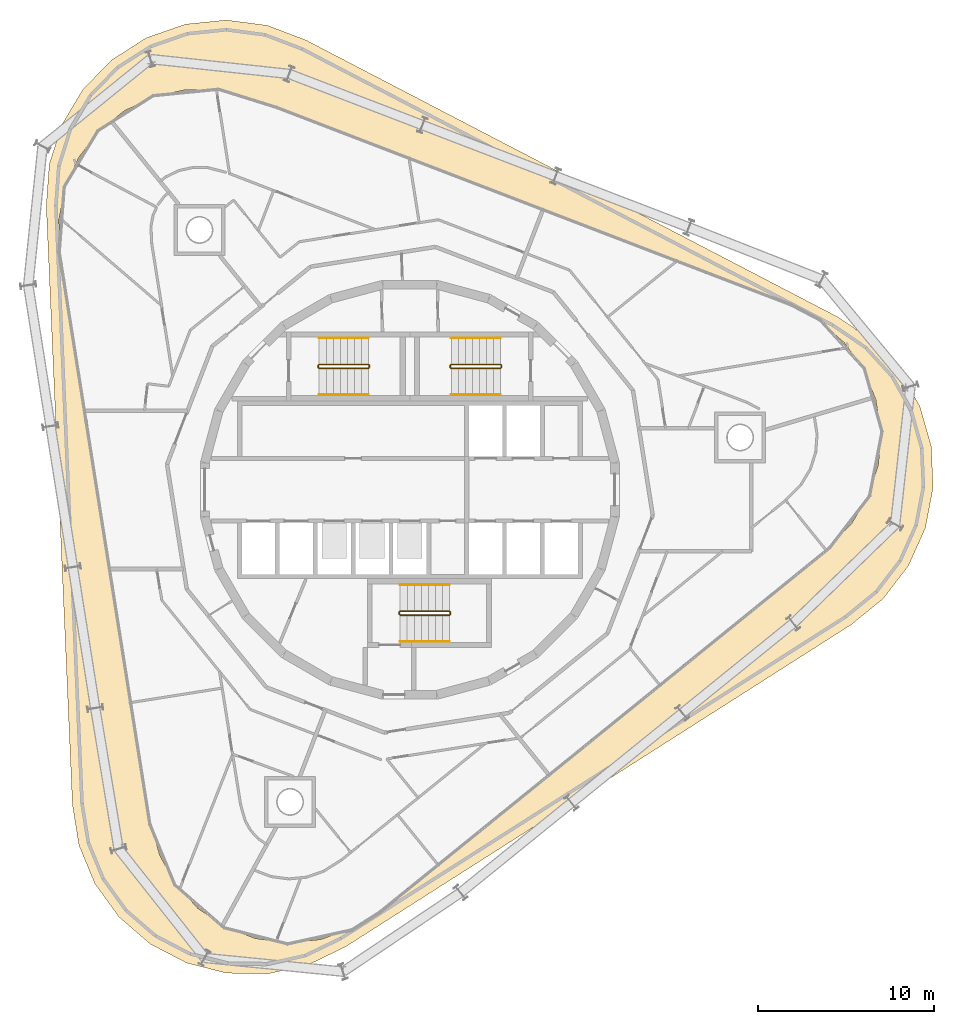
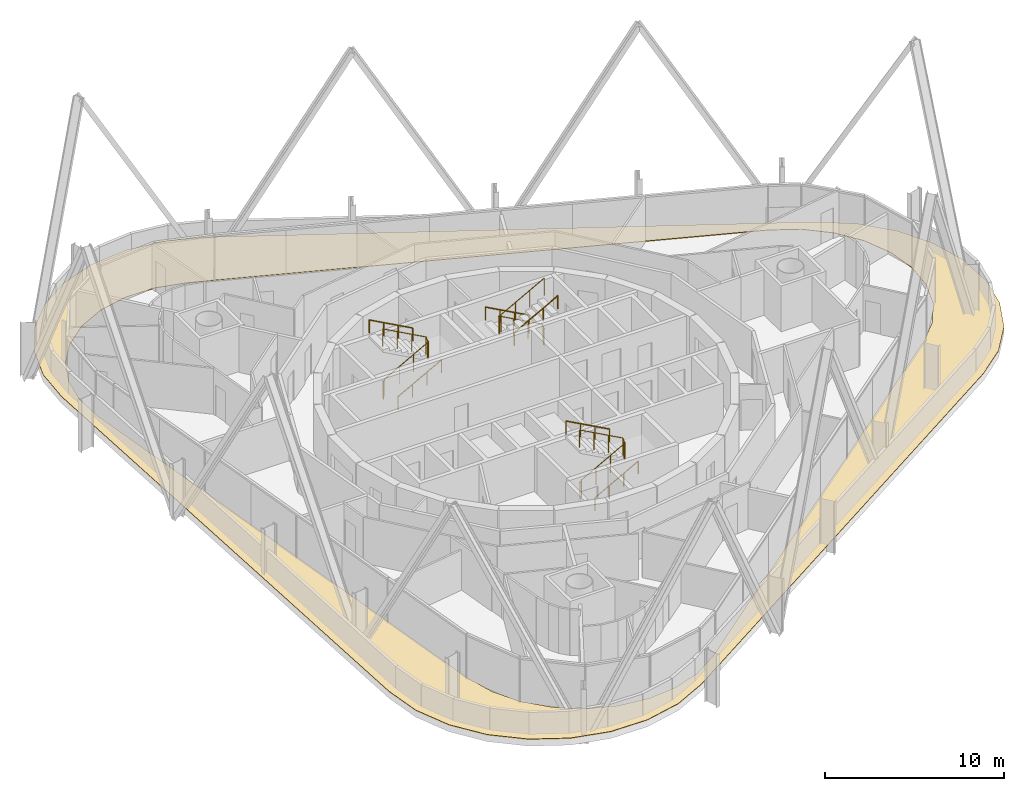
# One storey, part 18 of 19: 9 railings, 1 covering.
"""IFC4 building model written with IfcOpenShell, lengths in metres."""

from ifc_helpers import new_model, si_unit, direction, frame, origin, origin_2d, place, context, subcontext, project, spatial, polyline, circle, outline, extrude, material, layer, layer_set, type_object, element, save


model = new_model("IFC4")

# Units and contexts
model_context = context("Model", 3, precision=1e-05, world=origin(), true_north=direction((0.0, 1.0)))
body_context = subcontext(model_context, "Body", "Model", "MODEL_VIEW")
ifc_project = project(units=[si_unit("LENGTHUNIT", "METRE"), si_unit("AREAUNIT", "SQUARE_METRE"), si_unit("VOLUMEUNIT", "CUBIC_METRE"), si_unit("PLANEANGLEUNIT", "RADIAN"), si_unit("MASSUNIT", "GRAM", prefix="KILO")], contexts=[model_context])

# Site, building, storey
site_placement = place(None, origin())
site = spatial("IfcSite", under=ifc_project, at=site_placement, CompositionType="ELEMENT")
building_placement = place(site_placement, origin())
building = spatial("IfcBuilding", under=site, at=building_placement, Name="Spindle Arch Residences", CompositionType="ELEMENT")
storey_placement = place(building_placement, frame((0.0, 0.0, 263.39990234375)))
storey = spatial("IfcBuildingStorey", under=building, at=storey_placement, Name="L67", CompositionType="ELEMENT", Elevation=263.39990234375)

# Railings
ifc_material_1 = material(Name="Steel, painted", Category="steel")
railing_type_1 = type_object("IfcRailingType", Name="Stair guard 1100", PredefinedType="GUARDRAIL", material=ifc_material_1)
railing_1_placement = place(storey_placement, frame((5.14990234375, 6.89990234375, 3.5)))
element("IfcRailing", 1, at=railing_1_placement, inside=storey, type_object=railing_type_1, Name="L67 ST1 stair guard 1", PredefinedType="GUARDRAIL", context=body_context, shape_type="SweptSolid", body=[
    extrude(circle(Radius=0.02392578125, at=origin_2d()), frame((0.0, 0.0, 1.17578125), z_axis=(-0.877357048833, 0.0, -0.479838106931), x_axis=(0.0, -1.0, 0.0)), (0.0, 0.0, 1.0), 3.191162109375),
    extrude(circle(Radius=0.02392578125, at=origin_2d()), frame((-2.7998046875, 0.0, -0.35546875), z_axis=(-0.217683172539, 0.217683172539, -0.951434744366), x_axis=(-0.707106781187, -0.707106781187, 0.0)), (0.0, 0.0, 1.0), 0.22998046875),
    extrude(circle(Radius=0.02392578125, at=origin_2d()), frame((-2.849853515625, 0.050048828125, -0.57421875), z_axis=(0.0, 1.0, 0.0), x_axis=(-1.0, 0.0, 0.0)), (0.0, 0.0, 1.0), 0.1201171875),
    extrude(circle(Radius=0.02392578125, at=origin_2d()), frame((-2.849853515625, 0.170166015625, -0.57421875), z_axis=(0.707106781187, 0.707106781187, 0.0), x_axis=(-0.707106781187, 0.707106781187, 0.0)), (0.0, 0.0, 1.0), 0.07080078125),
    extrude(circle(Radius=0.02392578125, at=origin_2d()), frame((-2.7998046875, 0.22021484375, -0.57421875), z_axis=(0.877357048833, 0.0, -0.479838106931), x_axis=(0.0, 1.0, 0.0)), (0.0, 0.0, 1.0), 3.191162109375),
    extrude(circle(Radius=0.02392578125, at=origin_2d()), frame((0.0, 0.22021484375, -2.10546875), z_axis=(0.217683172539, -0.217683172539, -0.951434744366), x_axis=(0.707106781187, 0.707106781187, 0.0)), (0.0, 0.0, 1.0), 0.22998046875),
    extrude(circle(Radius=0.02392578125, at=origin_2d()), frame((0.050048828125, 0.170166015625, -2.32421875), z_axis=(0.0, -1.0, 0.0), x_axis=(1.0, 0.0, 0.0)), (0.0, 0.0, 1.0), 0.1201171875),
    extrude(circle(Radius=0.02099609375, at=origin_2d()), origin(), (0.0, 0.0, 1.0), 1.15185546875),
    extrude(circle(Radius=0.02099609375, at=origin_2d()), frame((-0.933349609375, 0.0, -0.510498046875)), (0.0, 0.0, 1.0), 1.15185546875),
    extrude(circle(Radius=0.02099609375, at=origin_2d()), frame((-1.866455078125, 0.0, -1.020751953125)), (0.0, 0.0, 1.0), 1.15185546875),
    extrude(circle(Radius=0.02099609375, at=origin_2d()), frame((-2.7998046875, 0.0, -1.53125)), (0.0, 0.0, 1.0), 1.15185546875),
    extrude(circle(Radius=0.02099609375, at=origin_2d()), frame((-2.849853515625, 0.050048828125, -1.75)), (0.0, 0.0, 1.0), 1.15185546875),
    extrude(circle(Radius=0.02099609375, at=origin_2d()), frame((-2.849853515625, 0.170166015625, -1.75)), (0.0, 0.0, 1.0), 1.15185546875),
    extrude(circle(Radius=0.02099609375, at=origin_2d()), frame((-2.7998046875, 0.22021484375, -1.75)), (0.0, 0.0, 1.0), 1.15185546875),
    extrude(circle(Radius=0.02099609375, at=origin_2d()), frame((-1.866455078125, 0.22021484375, -2.260498046875)), (0.0, 0.0, 1.0), 1.15185546875),
    extrude(circle(Radius=0.02099609375, at=origin_2d()), frame((-0.933349609375, 0.22021484375, -2.770751953125)), (0.0, 0.0, 1.0), 1.15185546875),
    extrude(circle(Radius=0.02099609375, at=origin_2d()), frame((0.0, 0.22021484375, -3.28125)), (0.0, 0.0, 1.0), 1.15185546875),
    extrude(circle(Radius=0.02099609375, at=origin_2d()), frame((0.050048828125, 0.170166015625, -3.5)), (0.0, 0.0, 1.0), 1.15185546875),
    extrude(circle(Radius=0.02099609375, at=origin_2d()), frame((0.050048828125, 0.050048828125, -3.5)), (0.0, 0.0, 1.0), 1.15185546875),
])
railing_2_placement = place(storey_placement, frame((-5.14990234375, 7.1201171875, 3.5)))
element("IfcRailing", 2, at=railing_2_placement, inside=storey, type_object=railing_type_1, Name="L67 ST2 stair guard 1", PredefinedType="GUARDRAIL", context=body_context, shape_type="SweptSolid", body=[
    extrude(circle(Radius=0.02392578125, at=origin_2d()), frame((0.0, 0.0, 1.17578125), z_axis=(0.877357048833, 0.0, -0.479838106931), x_axis=(0.0, 1.0, 0.0)), (0.0, 0.0, 1.0), 3.191162109375),
    extrude(circle(Radius=0.02392578125, at=origin_2d()), frame((2.7998046875, 0.0, -0.35546875), z_axis=(0.217683172539, -0.217683172539, -0.951434744366), x_axis=(0.707106781187, 0.707106781187, 0.0)), (0.0, 0.0, 1.0), 0.22998046875),
    extrude(circle(Radius=0.02392578125, at=origin_2d()), frame((2.849853515625, -0.050048828125, -0.57421875), z_axis=(0.0, -1.0, 0.0), x_axis=(1.0, 0.0, 0.0)), (0.0, 0.0, 1.0), 0.1201171875),
    extrude(circle(Radius=0.02392578125, at=origin_2d()), frame((2.849853515625, -0.170166015625, -0.57421875), z_axis=(-0.707106781187, -0.707106781187, 0.0), x_axis=(0.707106781187, -0.707106781187, 0.0)), (0.0, 0.0, 1.0), 0.07080078125),
    extrude(circle(Radius=0.02392578125, at=origin_2d()), frame((2.7998046875, -0.22021484375, -0.57421875), z_axis=(-0.877357048833, 0.0, -0.479838106931), x_axis=(0.0, -1.0, 0.0)), (0.0, 0.0, 1.0), 3.191162109375),
    extrude(circle(Radius=0.02392578125, at=origin_2d()), frame((0.0, -0.22021484375, -2.10546875), z_axis=(-0.217683172539, 0.217683172539, -0.951434744366), x_axis=(-0.707106781187, -0.707106781187, 0.0)), (0.0, 0.0, 1.0), 0.22998046875),
    extrude(circle(Radius=0.02392578125, at=origin_2d()), frame((-0.050048828125, -0.170166015625, -2.32421875), z_axis=(0.0, 1.0, 0.0), x_axis=(-1.0, 0.0, 0.0)), (0.0, 0.0, 1.0), 0.1201171875),
    extrude(circle(Radius=0.02099609375, at=origin_2d()), origin(), (0.0, 0.0, 1.0), 1.15185546875),
    extrude(circle(Radius=0.02099609375, at=origin_2d()), frame((0.933349609375, 0.0, -0.510498046875)), (0.0, 0.0, 1.0), 1.15185546875),
    extrude(circle(Radius=0.02099609375, at=origin_2d()), frame((1.866455078125, 0.0, -1.020751953125)), (0.0, 0.0, 1.0), 1.15185546875),
    extrude(circle(Radius=0.02099609375, at=origin_2d()), frame((2.7998046875, 0.0, -1.53125)), (0.0, 0.0, 1.0), 1.15185546875),
    extrude(circle(Radius=0.02099609375, at=origin_2d()), frame((2.849853515625, -0.050048828125, -1.75)), (0.0, 0.0, 1.0), 1.15185546875),
    extrude(circle(Radius=0.02099609375, at=origin_2d()), frame((2.849853515625, -0.170166015625, -1.75)), (0.0, 0.0, 1.0), 1.15185546875),
    extrude(circle(Radius=0.02099609375, at=origin_2d()), frame((2.7998046875, -0.22021484375, -1.75)), (0.0, 0.0, 1.0), 1.15185546875),
    extrude(circle(Radius=0.02099609375, at=origin_2d()), frame((1.866455078125, -0.22021484375, -2.260498046875)), (0.0, 0.0, 1.0), 1.15185546875),
    extrude(circle(Radius=0.02099609375, at=origin_2d()), frame((0.933349609375, -0.22021484375, -2.770751953125)), (0.0, 0.0, 1.0), 1.15185546875),
    extrude(circle(Radius=0.02099609375, at=origin_2d()), frame((0.0, -0.22021484375, -3.28125)), (0.0, 0.0, 1.0), 1.15185546875),
    extrude(circle(Radius=0.02099609375, at=origin_2d()), frame((-0.050048828125, -0.170166015625, -3.5)), (0.0, 0.0, 1.0), 1.15185546875),
    extrude(circle(Radius=0.02099609375, at=origin_2d()), frame((-0.050048828125, -0.050048828125, -3.5)), (0.0, 0.0, 1.0), 1.15185546875),
])
railing_3_placement = place(storey_placement, frame((-0.550048828125, -6.89990234375, 3.5)))
element("IfcRailing", 3, at=railing_3_placement, inside=storey, type_object=railing_type_1, Name="L67 ST3 stair guard 1", PredefinedType="GUARDRAIL", context=body_context, shape_type="SweptSolid", body=[
    extrude(circle(Radius=0.02392578125, at=origin_2d()), frame((0.0, 0.0, 1.17578125), z_axis=(0.877374661878, 0.0, -0.479805901063), x_axis=(0.0, 1.0, 0.0)), (0.0, 0.0, 1.0), 3.19140625),
    extrude(circle(Radius=0.02392578125, at=origin_2d()), frame((2.800048828125, 0.0, -0.35546875), z_axis=(0.217683172539, -0.217683172539, -0.951434744366), x_axis=(0.707106781187, 0.707106781187, 0.0)), (0.0, 0.0, 1.0), 0.22998046875),
    extrude(circle(Radius=0.02392578125, at=origin_2d()), frame((2.85009765625, -0.050048828125, -0.57421875), z_axis=(0.0, -1.0, 0.0), x_axis=(1.0, 0.0, 0.0)), (0.0, 0.0, 1.0), 0.1201171875),
    extrude(circle(Radius=0.02392578125, at=origin_2d()), frame((2.85009765625, -0.170166015625, -0.57421875), z_axis=(-0.707106781187, -0.707106781187, 0.0), x_axis=(0.707106781187, -0.707106781187, 0.0)), (0.0, 0.0, 1.0), 0.07080078125),
    extrude(circle(Radius=0.02392578125, at=origin_2d()), frame((2.800048828125, -0.22021484375, -0.57421875), z_axis=(-0.877374661878, 0.0, -0.479805901063), x_axis=(0.0, -1.0, 0.0)), (0.0, 0.0, 1.0), 3.19140625),
    extrude(circle(Radius=0.02392578125, at=origin_2d()), frame((0.0, -0.22021484375, -2.10546875), z_axis=(-0.217683172539, 0.217683172539, -0.951434744366), x_axis=(-0.707106781187, -0.707106781187, 0.0)), (0.0, 0.0, 1.0), 0.22998046875),
    extrude(circle(Radius=0.02392578125, at=origin_2d()), frame((-0.050048828125, -0.170166015625, -2.32421875), z_axis=(0.0, 1.0, 0.0), x_axis=(-1.0, 0.0, 0.0)), (0.0, 0.0, 1.0), 0.1201171875),
    extrude(circle(Radius=0.02099609375, at=origin_2d()), origin(), (0.0, 0.0, 1.0), 1.15185546875),
    extrude(circle(Radius=0.02099609375, at=origin_2d()), frame((0.933349609375, 0.0, -0.510498046875)), (0.0, 0.0, 1.0), 1.15185546875),
    extrude(circle(Radius=0.02099609375, at=origin_2d()), frame((1.86669921875, 0.0, -1.020751953125)), (0.0, 0.0, 1.0), 1.15185546875),
    extrude(circle(Radius=0.02099609375, at=origin_2d()), frame((2.800048828125, 0.0, -1.53125)), (0.0, 0.0, 1.0), 1.15185546875),
    extrude(circle(Radius=0.02099609375, at=origin_2d()), frame((2.85009765625, -0.050048828125, -1.75)), (0.0, 0.0, 1.0), 1.15185546875),
    extrude(circle(Radius=0.02099609375, at=origin_2d()), frame((2.85009765625, -0.170166015625, -1.75)), (0.0, 0.0, 1.0), 1.15185546875),
    extrude(circle(Radius=0.02099609375, at=origin_2d()), frame((2.800048828125, -0.22021484375, -1.75)), (0.0, 0.0, 1.0), 1.15185546875),
    extrude(circle(Radius=0.02099609375, at=origin_2d()), frame((1.86669921875, -0.22021484375, -2.260498046875)), (0.0, 0.0, 1.0), 1.15185546875),
    extrude(circle(Radius=0.02099609375, at=origin_2d()), frame((0.933349609375, -0.22021484375, -2.770751953125)), (0.0, 0.0, 1.0), 1.15185546875),
    extrude(circle(Radius=0.02099609375, at=origin_2d()), frame((0.0, -0.22021484375, -3.28125)), (0.0, 0.0, 1.0), 1.15185546875),
    extrude(circle(Radius=0.02099609375, at=origin_2d()), frame((-0.050048828125, -0.170166015625, -3.5)), (0.0, 0.0, 1.0), 1.15185546875),
    extrude(circle(Radius=0.02099609375, at=origin_2d()), frame((-0.050048828125, -0.050048828125, -3.5)), (0.0, 0.0, 1.0), 1.15185546875),
])
ifc_material_2 = material(Name="Steel, painted", Category="steel")
railing_type_2 = type_object("IfcRailingType", Name="Stair handrail 900", PredefinedType="HANDRAIL", material=ifc_material_2)
railing_4_placement = place(storey_placement, frame((5.14990234375, 8.6201171875, 0.21875)))
element("IfcRailing", 4, at=railing_4_placement, inside=storey, type_object=railing_type_2, Name="L67 ST1 stair handrail 1", PredefinedType="HANDRAIL", context=body_context, shape_type="SweptSolid", body=[
    extrude(circle(Radius=0.02392578125, at=origin_2d()), frame((0.0, 0.0, 0.8759765625), z_axis=(-0.877357048833, 0.0, 0.479838106931), x_axis=(0.0, -1.0, 0.0)), (0.0, 0.0, 1.0), 3.191162109375),
    extrude(circle(Radius=0.02099609375, at=origin_2d()), origin(), (0.0, 0.0, 1.0), 0.851806640625),
    extrude(circle(Radius=0.02099609375, at=origin_2d()), frame((-0.933349609375, 0.0, 0.510498046875)), (0.0, 0.0, 1.0), 0.851806640625),
    extrude(circle(Radius=0.02099609375, at=origin_2d()), frame((-1.866455078125, 0.0, 1.020751953125)), (0.0, 0.0, 1.0), 0.851806640625),
    extrude(circle(Radius=0.02099609375, at=origin_2d()), frame((-2.7998046875, 0.0, 1.53125)), (0.0, 0.0, 1.0), 0.851806640625),
])
for number, where, name in (
    (5, (2.35009765625, 5.39990234375, 1.96875), "L67 ST1 stair handrail 2"),
    (6, (-5.14990234375, 5.39990234375, 0.21875), "L67 ST2 stair handrail 1"),
):
    element("IfcRailing", number, at=place(storey_placement, frame(where)), inside=storey, type_object=railing_type_2, Name=name, PredefinedType="HANDRAIL", context=body_context, shape_type="SweptSolid", body=[
        extrude(circle(Radius=0.02392578125, at=origin_2d()), frame((0.0, 0.0, 0.8759765625), z_axis=(0.877357048833, 0.0, 0.479838106931), x_axis=(0.0, 1.0, 0.0)), (0.0, 0.0, 1.0), 3.191162109375),
        extrude(circle(Radius=0.02099609375, at=origin_2d()), origin(), (0.0, 0.0, 1.0), 0.851806640625),
        extrude(circle(Radius=0.02099609375, at=origin_2d()), frame((0.933349609375, 0.0, 0.510498046875)), (0.0, 0.0, 1.0), 0.851806640625),
        extrude(circle(Radius=0.02099609375, at=origin_2d()), frame((1.866455078125, 0.0, 1.020751953125)), (0.0, 0.0, 1.0), 0.851806640625),
        extrude(circle(Radius=0.02099609375, at=origin_2d()), frame((2.7998046875, 0.0, 1.53125)), (0.0, 0.0, 1.0), 0.851806640625),
    ])
railing_5_placement = place(storey_placement, frame((-2.35009765625, 8.6201171875, 1.96875)))
element("IfcRailing", 7, at=railing_5_placement, inside=storey, type_object=railing_type_2, Name="L67 ST2 stair handrail 2", PredefinedType="HANDRAIL", context=body_context, shape_type="SweptSolid", body=[
    extrude(circle(Radius=0.02392578125, at=origin_2d()), frame((0.0, 0.0, 0.8759765625), z_axis=(-0.877357048833, 0.0, 0.479838106931), x_axis=(0.0, -1.0, 0.0)), (0.0, 0.0, 1.0), 3.191162109375),
    extrude(circle(Radius=0.02099609375, at=origin_2d()), origin(), (0.0, 0.0, 1.0), 0.851806640625),
    extrude(circle(Radius=0.02099609375, at=origin_2d()), frame((-0.933349609375, 0.0, 0.510498046875)), (0.0, 0.0, 1.0), 0.851806640625),
    extrude(circle(Radius=0.02099609375, at=origin_2d()), frame((-1.866455078125, 0.0, 1.020751953125)), (0.0, 0.0, 1.0), 0.851806640625),
    extrude(circle(Radius=0.02099609375, at=origin_2d()), frame((-2.7998046875, 0.0, 1.53125)), (0.0, 0.0, 1.0), 0.851806640625),
])
railing_6_placement = place(storey_placement, frame((-0.550048828125, -8.6201171875, 0.21875)))
element("IfcRailing", 8, at=railing_6_placement, inside=storey, type_object=railing_type_2, Name="L67 ST3 stair handrail 1", PredefinedType="HANDRAIL", context=body_context, shape_type="SweptSolid", body=[
    extrude(circle(Radius=0.02392578125, at=origin_2d()), frame((0.0, 0.0, 0.8759765625), z_axis=(0.877374661878, 0.0, 0.479805901063), x_axis=(0.0, 1.0, 0.0)), (0.0, 0.0, 1.0), 3.19140625),
    extrude(circle(Radius=0.02099609375, at=origin_2d()), origin(), (0.0, 0.0, 1.0), 0.851806640625),
    extrude(circle(Radius=0.02099609375, at=origin_2d()), frame((0.933349609375, 0.0, 0.510498046875)), (0.0, 0.0, 1.0), 0.851806640625),
    extrude(circle(Radius=0.02099609375, at=origin_2d()), frame((1.86669921875, 0.0, 1.020751953125)), (0.0, 0.0, 1.0), 0.851806640625),
    extrude(circle(Radius=0.02099609375, at=origin_2d()), frame((2.800048828125, 0.0, 1.53125)), (0.0, 0.0, 1.0), 0.851806640625),
])
railing_7_placement = place(storey_placement, frame((2.25, -5.39990234375, 1.96875)))
element("IfcRailing", 9, at=railing_7_placement, inside=storey, type_object=railing_type_2, Name="L67 ST3 stair handrail 2", PredefinedType="HANDRAIL", context=body_context, shape_type="SweptSolid", body=[
    extrude(circle(Radius=0.02392578125, at=origin_2d()), frame((0.0, 0.0, 0.8759765625), z_axis=(-0.877374661878, 0.0, 0.479805901063), x_axis=(0.0, -1.0, 0.0)), (0.0, 0.0, 1.0), 3.19140625),
    extrude(circle(Radius=0.02099609375, at=origin_2d()), origin(), (0.0, 0.0, 1.0), 0.851806640625),
    extrude(circle(Radius=0.02099609375, at=origin_2d()), frame((-0.933349609375, 0.0, 0.510498046875)), (0.0, 0.0, 1.0), 0.851806640625),
    extrude(circle(Radius=0.02099609375, at=origin_2d()), frame((-1.86669921875, 0.0, 1.020751953125)), (0.0, 0.0, 1.0), 0.851806640625),
    extrude(circle(Radius=0.02099609375, at=origin_2d()), frame((-2.800048828125, 0.0, 1.53125)), (0.0, 0.0, 1.0), 0.851806640625),
])

# Covering
ifc_material_3 = material(Name="Non-combustible mineral wool, bituminous membrane and concrete pavers", Category="concrete")
ifc_layer = layer(ifc_material_3, 0.030029296875)
ifc_layer_set = layer_set([ifc_layer], Name="Terrace roofing membrane and pavers")
covering_type = type_object("IfcCoveringType", Name="Terrace roofing membrane and pavers", PredefinedType="ROOFING", material=ifc_layer_set)
covering_placement = place(storey_placement, origin())
element("IfcCovering", 10, at=covering_placement, inside=storey, type_object=covering_type, Name="Terrace roofing L66 1", PredefinedType="ROOFING", context=body_context, shape_type="SweptSolid", body=[
    extrude(outline(polyline([(-3.6552734375, -25.964599609375), (-5.76611328125, -26.986572265625), (-8.055419921875, -27.494140625), (-10.400390625, -27.4599609375), (-12.674072265625, -26.885986328125), (-14.754150390625, -25.80322265625), (-16.528564453125, -24.269775390625), (-17.9013671875, -22.36865234375), (-18.798828125, -20.2021484375), (-19.17236328125, -17.886962890625), (-20.658447265625, 16.14794921875), (-20.488037109375, 18.48681640625), (-19.78271484375, 20.723388671875), (-18.580810546875, 22.73681640625), (-16.947021484375, 24.4189453125), (-14.968994140625, 25.678955078125), (-12.75390625, 26.448974609375), (-10.421142578125, 26.687255859375), (-8.09619140625, 26.38134765625), (-5.904296875, 25.547119140625), (24.313720703125, 9.816650390625), (26.25390625, 8.499755859375), (27.83837890625, 6.770751953125), (28.981201171875, 4.72314453125), (29.62109375, 2.467041015625), (29.723388671875, 0.1240234375), (29.282470703125, -2.17919921875), (28.322509765625, -4.31884765625), (26.894775390625, -6.17919921875), (25.07666015625, -7.660400390625), (10.710693359375, -16.8125), (-3.6552734375, -25.964599609375)]), holes=[polyline([(23.7939453125, -3.24609375), (25.092041015625, -1.917236328125), (26.048583984375, -0.3251953125), (26.6123046875, 1.44482421875), (26.752685546875, 3.296875), (26.462158203125, 5.131591796875), (25.75634765625, 6.849609375), (24.67333984375, 8.358642578125), (23.271484375, 9.577392578125), (21.626220703125, 10.43994140625), (-9.0859375, 22.229248046875), (-10.885498046875, 22.68896484375), (-12.74267578125, 22.721435546875), (-14.557373046875, 22.32470703125), (-16.2314453125, 21.52001953125), (-17.675048828125, 20.35107421875), (-18.81005859375, 18.880859375), (-19.575439453125, 17.188232421875), (-19.929931640625, 15.364990234375), (-19.854248046875, 13.509033203125), (-14.7080078125, -18.983154296875), (-14.20654296875, -20.771728515625), (-13.305908203125, -22.396240234375), (-12.054931640625, -23.769287109375), (-10.521240234375, -24.81689453125), (-8.787109375, -25.482666015625), (-6.9462890625, -25.73046875), (-5.09765625, -25.547119140625), (-3.341552734375, -24.9423828125), (-1.77197265625, -23.94873046875), (11.010986328125, -13.597412109375), (23.7939453125, -3.24609375)])]), origin(), (0.0, 0.0, 1.0), 0.030029296875),
])

save(model, "model.ifc")
